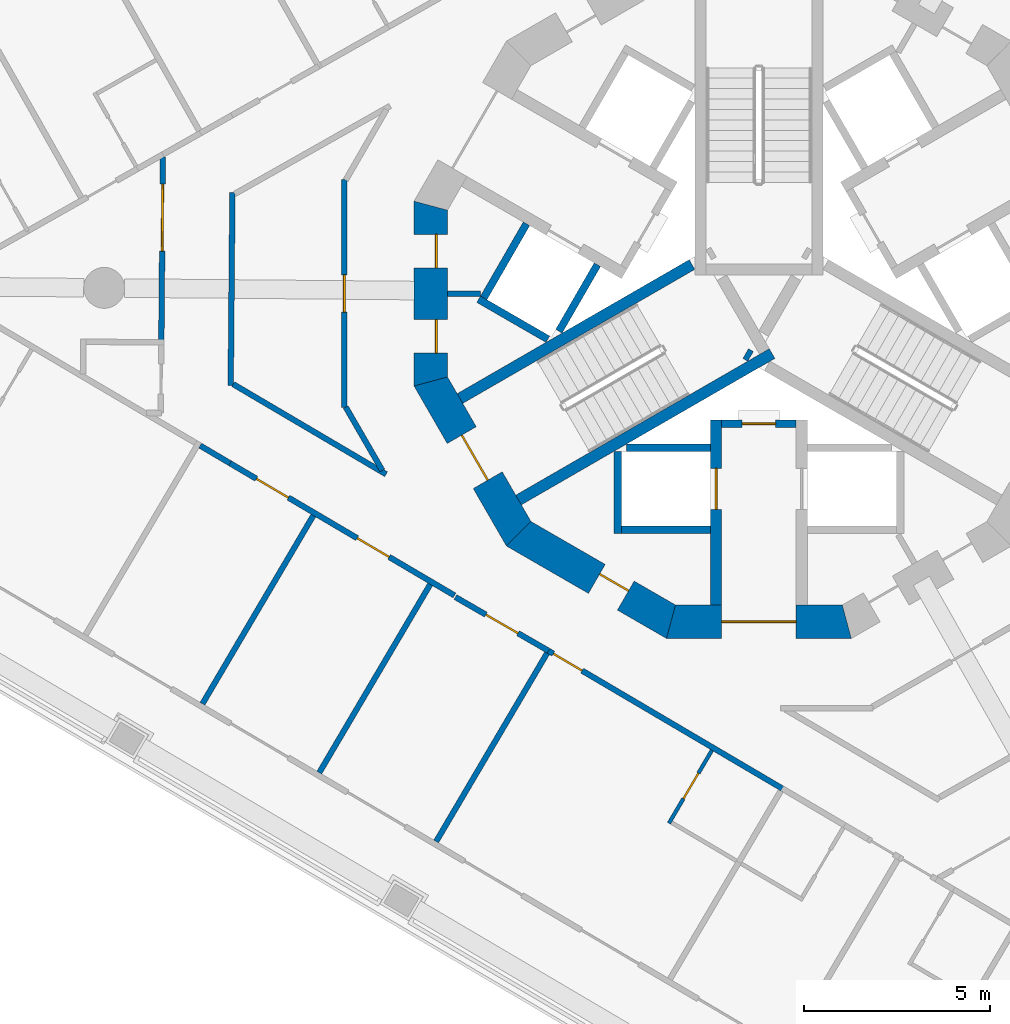
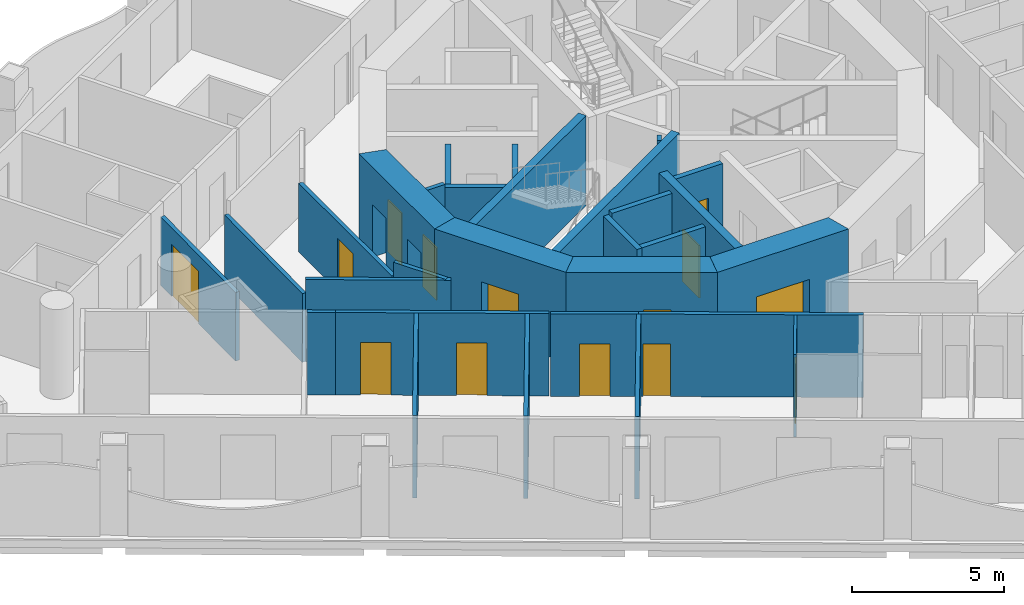
# One storey, part 3 of 17: 29 walls, 14 doors, 14 openings.
"""IFC4 building model written with IfcOpenShell, lengths in metres."""

from ifc_helpers import new_model, si_unit, direction, frame, frame_2d, origin, place, context, subcontext, project, spatial, polyline, rectangle, outline, extrude, material, layer, layer_set, type_object, element, fill, save


model = new_model("IFC4")

# Units and contexts
model_context = context("Model", 3, precision=1e-05, world=origin(), true_north=direction((0.0, 1.0)))
body_context = subcontext(model_context, "Body", "Model", "MODEL_VIEW")
ifc_project = project(units=[si_unit("LENGTHUNIT", "METRE"), si_unit("AREAUNIT", "SQUARE_METRE"), si_unit("VOLUMEUNIT", "CUBIC_METRE"), si_unit("PLANEANGLEUNIT", "RADIAN"), si_unit("MASSUNIT", "GRAM", prefix="KILO")], contexts=[model_context])

# Site, building, storey
site_placement = place(None, origin())
site = spatial("IfcSite", under=ifc_project, at=site_placement, CompositionType="ELEMENT")
building_placement = place(site_placement, origin())
building = spatial("IfcBuilding", under=site, at=building_placement, Name="Trine Commons Tower", CompositionType="ELEMENT")
storey_placement = place(building_placement, frame((0.0, 0.0, 186.300048828125)))
storey = spatial("IfcBuildingStorey", under=building, at=storey_placement, Name="L48", CompositionType="ELEMENT", Elevation=186.300048828125)

# Wall
ifc_material_1 = material(Name="Plasterboard partition on steel studs", Category="steel")
ifc_layer_1 = layer(ifc_material_1, 0.14990234375)
ifc_layer_set_1 = layer_set([ifc_layer_1], Name="Plasterboard partition on steel studs")
wall_type_1 = type_object("IfcWallType", Name="Core room partition 150 mm, EI 60", PredefinedType="PARTITIONING", material=ifc_layer_set_1)
wall_1_placement = place(storey_placement, frame((71.626953125, 62.5, 0.0), z_axis=(0.0, 0.0, 1.0), x_axis=(1.0, 0.0, 0.0)))
element("IfcWall", 1, at=wall_1_placement, inside=storey, type_object=wall_type_1, Name="Core room partition L48", PredefinedType="PARTITIONING", context=body_context, shape_type="SweptSolid", body=[
    extrude(rectangle(XDim=0.882080078125, YDim=0.14990234375, at=frame_2d((0.44091796875, 0.0))), origin(), (0.0, 0.0, 1.0), 3.300048828125),
])

# Wall, opening, door
ifc_material_2 = material(Name="Fire-rated gypsum shaft wall system")
ifc_layer_2 = layer(ifc_material_2, 0.199951171875)
ifc_layer_set_2 = layer_set([ifc_layer_2], Name="Fire-rated gypsum shaft wall system")
wall_type_2 = type_object("IfcWallType", Name="Lobby end wall 200 mm, EI 120", PredefinedType="PARTITIONING", material=ifc_layer_set_2)
wall_2_placement = place(storey_placement, frame((79.0, 59.0, 0.0), z_axis=(0.0, 0.0, 1.0), x_axis=(1.0, 0.0, 0.0)))
wall_2 = element("IfcWall", 2, at=wall_2_placement, inside=storey, type_object=wall_type_2, Name="Lobby end wall L48", PredefinedType="PARTITIONING", context=body_context, shape_type="SweptSolid", body=[
    extrude(rectangle(XDim=2.0, YDim=0.199951171875, at=frame_2d((1.0, 0.0))), origin(), (0.0, 0.0, 1.0), 3.300048828125),
])
opening_1_placement = place(wall_2_placement, frame((0.550048828125, 0.0, 0.0)))
opening_1 = element("IfcOpeningElement", 3, at=opening_1_placement, cuts=wall_2, Name="Opening K11.09", PredefinedType="OPENING", context=body_context, shape_type="SweptSolid", body=[
    extrude(rectangle(XDim=0.89990234375, YDim=2.10009765625, at=frame_2d((0.449951171875, 1.050048828125))), frame((0.0, 0.10986328125, 0.0), z_axis=(0.0, -1.0, 0.0), x_axis=(1.0, 0.0, 0.0)), (0.0, 0.0, 1.0), 0.219970703125),
])
ifc_material_3 = material(Name="Steel door leaf, fire-rated", Category="steel")
door_type_1 = type_object("IfcDoorType", Name="Riser access door, single leaf 900 x 2100, FD60", OperationType="SINGLE_SWING_LEFT", PredefinedType="DOOR", material=ifc_material_3)
door_1_placement = place(opening_1_placement, frame((0.89990234375, 0.0, 0.0), z_axis=(0.0, 0.0, 1.0), x_axis=(-1.0, 0.0, 0.0)))
door_1 = element("IfcDoor", 4, at=door_1_placement, inside=storey, type_object=door_type_1, Name="Riser door, Communications riser L48", OperationType="SINGLE_SWING_RIGHT", OverallHeight=2.10009765625, OverallWidth=0.89990234375, PredefinedType="DOOR", context=body_context, shape_type="SweptSolid", body=[
    extrude(rectangle(XDim=0.89990234375, YDim=2.10009765625, at=frame_2d((0.449951171875, 1.050048828125))), frame((0.0, 0.02490234375, 0.0), z_axis=(0.0, -1.0, 0.0), x_axis=(1.0, 0.0, 0.0)), (0.0, 0.0, 1.0), 0.050048828125),
])
fill(opening_1, door_1)

ifc_material_4 = material(Name="Concrete C60/75", Category="concrete")
ifc_layer_3 = layer(ifc_material_4, 0.300048828125)
ifc_layer_set_3 = layer_set([ifc_layer_3], Name="Concrete C60/75")
wall_type_3 = type_object("IfcWallType", Name="RC shear wall 300 mm, C60/75", PredefinedType="SHEAR", material=ifc_layer_set_3)
wall_3_placement = place(storey_placement, frame((78.85009765625, 59.10009765625, 0.0), z_axis=(0.0, 0.0, 1.0), x_axis=(0.0, -1.0, 0.0)))
wall_3 = element("IfcWall", 5, at=wall_3_placement, inside=storey, type_object=wall_type_3, Name="Core cross wall SWB-03 L48", PredefinedType="SHEAR", context=body_context, shape_type="SweptSolid", body=[
    extrude(rectangle(XDim=4.97314453125, YDim=0.300048828125, at=frame_2d((2.486572265625, 0.0))), origin(), (0.0, 0.0, 1.0), 3.599853515625),
])
opening_2_placement = place(wall_3_placement, frame((1.300048828125, 0.0, 0.0)))
opening_2 = element("IfcOpeningElement", 6, at=opening_2_placement, cuts=wall_3, Name="Opening LD10", PredefinedType="OPENING", context=body_context, shape_type="SweptSolid", body=[
    extrude(rectangle(XDim=1.10009765625, YDim=2.10009765625, at=frame_2d((0.550048828125, 1.050048828125))), frame((0.0, 0.159912109375, 0.0), z_axis=(0.0, -1.0, 0.0), x_axis=(1.0, 0.0, 0.0)), (0.0, 0.0, 1.0), 0.320068359375),
])
ifc_material_5 = material(Name="Stainless steel sliding door leaves", Category="steel")
door_type_2 = type_object("IfcDoorType", Name="Lift landing door, centre-opening sliding 1100 x 2100, FD90", OperationType="DOUBLE_DOOR_SLIDING", PredefinedType="DOOR", material=ifc_material_5)
door_2_placement = place(opening_2_placement, origin())
door_2 = element("IfcDoor", 7, at=door_2_placement, inside=storey, type_object=door_type_2, Name="Lift landing door FF2 L48", OperationType="DOUBLE_DOOR_SLIDING", OverallHeight=2.10009765625, OverallWidth=1.10009765625, PredefinedType="DOOR", context=body_context, shape_type="SweptSolid", body=[
    extrude(rectangle(XDim=1.10009765625, YDim=2.10009765625, at=frame_2d((0.550048828125, 1.050048828125))), frame((0.0, 0.02490234375, 0.0), z_axis=(0.0, -1.0, 0.0), x_axis=(1.0, 0.0, 0.0)), (0.0, 0.0, 1.0), 0.050048828125),
])
fill(opening_2, door_2)

# Walls
wall_4_placement = place(storey_placement, frame((78.199951171875, 63.280029296875, 0.0), z_axis=(0.0, 0.0, 1.0), x_axis=(-0.866028135082, -0.499995269223, 0.0)))
element("IfcWall", 8, at=wall_4_placement, inside=storey, type_object=wall_type_3, Name="Core cross wall SWB-07 L48", PredefinedType="SHEAR", context=body_context, shape_type="SweptSolid", body=[
    extrude(rectangle(XDim=7.2041015625, YDim=0.300048828125, at=frame_2d((3.60205078125, 0.0))), origin(), (0.0, 0.0, 1.0), 3.599853515625),
])
wall_5_placement = place(storey_placement, frame((79.64599609375, 60.885986328125, 0.0), z_axis=(0.0, 0.0, 1.0), x_axis=(0.867331893649, -0.497730234424, 0.0)))
element("IfcWall", 9, at=wall_5_placement, inside=storey, type_object=wall_type_3, Name="Core cross wall SWB-11 L48", PredefinedType="SHEAR", context=body_context, shape_type="SweptSolid", body=[
    extrude(rectangle(XDim=0.148681640625, YDim=0.300048828125, at=frame_2d((0.07421875, 0.0))), origin(), (0.0, 0.0, 1.0), 3.599853515625),
])
wall_6_placement = place(storey_placement, frame((80.35400390625, 60.885986328125, 0.0), z_axis=(0.0, 0.0, 1.0), x_axis=(-0.866047706748, -0.499961368145, 0.0)))
element("IfcWall", 10, at=wall_6_placement, inside=storey, type_object=wall_type_3, Name="Core cross wall SWB-14 L48", PredefinedType="SHEAR", context=body_context, shape_type="SweptSolid", body=[
    extrude(rectangle(XDim=7.87255859375, YDim=0.300048828125, at=frame_2d((3.936279296875, 0.0))), origin(), (0.0, 0.0, 1.0), 3.599853515625),
])

# Wall, openings, doors
ifc_layer_4 = layer(ifc_material_4, 0.89990234375)
ifc_layer_set_4 = layer_set([ifc_layer_4], Name="Concrete C60/75")
wall_type_4 = type_object("IfcWallType", Name="RC shear wall 900 mm, C60/75", PredefinedType="SHEAR", material=ifc_layer_set_4)
wall_7_placement = place(storey_placement, frame((71.177001953125, 64.984619140625, 0.0), z_axis=(0.0, 0.0, 1.0), x_axis=(0.0, -1.0, 0.0)))
wall_7 = element("IfcWall", 11, at=wall_7_placement, inside=storey, type_object=wall_type_4, Name="Core wall CWE-07 L48", PredefinedType="SHEAR", context=body_context, shape_type="SweptSolid", body=[
    extrude(outline(polyline([(0.0, -0.449951171875), (4.969482421875, -0.449951171875), (4.728271484375, 0.449951171875), (0.2412109375, 0.449951171875), (0.0, -0.449951171875)])), origin(), (0.0, 0.0, 1.0), 3.599853515625),
])
opening_3_placement = place(wall_7_placement, frame((0.893798828125, 0.0, 0.0)))
opening_3 = element("IfcOpeningElement", 12, at=opening_3_placement, cuts=wall_7, Name="Opening K11.14", PredefinedType="OPENING", context=body_context, shape_type="SweptSolid", body=[
    extrude(rectangle(XDim=0.89990234375, YDim=2.10009765625, at=frame_2d((0.449951171875, 1.050048828125))), frame((0.0, 0.4599609375, 0.0), z_axis=(0.0, -1.0, 0.0), x_axis=(1.0, 0.0, 0.0)), (0.0, 0.0, 1.0), 0.919921875),
])
opening_4_placement = place(wall_7_placement, frame((3.184814453125, 0.0, 0.0)))
opening_4 = element("IfcOpeningElement", 13, at=opening_4_placement, cuts=wall_7, Name="Opening K11.15", PredefinedType="OPENING", context=body_context, shape_type="SweptSolid", body=[
    extrude(rectangle(XDim=0.89990234375, YDim=2.10009765625, at=frame_2d((0.449951171875, 1.050048828125))), frame((0.0, 0.4599609375, 0.0), z_axis=(0.0, -1.0, 0.0), x_axis=(1.0, 0.0, 0.0)), (0.0, 0.0, 1.0), 0.919921875),
])
door_type_3 = type_object("IfcDoorType", Name="Core room door, single leaf 900 x 2100, FD30S", OperationType="SINGLE_SWING_LEFT", PredefinedType="DOOR", material=ifc_material_3)
door_3_placement = place(opening_3_placement, origin())
door_3 = element("IfcDoor", 14, at=door_3_placement, inside=storey, type_object=door_type_3, Name="Door to Cleaner's store L48", OperationType="SINGLE_SWING_LEFT", OverallHeight=2.10009765625, OverallWidth=0.89990234375, PredefinedType="DOOR", context=body_context, shape_type="SweptSolid", body=[
    extrude(rectangle(XDim=0.89990234375, YDim=2.10009765625, at=frame_2d((0.449951171875, 1.050048828125))), frame((0.0, 0.1748046875, 0.0), z_axis=(0.0, -1.0, 0.0), x_axis=(1.0, 0.0, 0.0)), (0.0, 0.0, 1.0), 0.050048828125),
])
fill(opening_3, door_3)
door_4_placement = place(opening_4_placement, origin())
door_4 = element("IfcDoor", 15, at=door_4_placement, inside=storey, type_object=door_type_3, Name="Door to Accessible WC L48", OperationType="SINGLE_SWING_RIGHT", OverallHeight=2.10009765625, OverallWidth=0.89990234375, PredefinedType="DOOR", context=body_context, shape_type="SweptSolid", body=[
    extrude(rectangle(XDim=0.89990234375, YDim=2.10009765625, at=frame_2d((0.449951171875, 1.050048828125))), frame((0.0, 0.1748046875, 0.0), z_axis=(0.0, -1.0, 0.0), x_axis=(1.0, 0.0, 0.0)), (0.0, 0.0, 1.0), 0.050048828125),
])
fill(opening_4, door_4)

# Wall, opening, door
wall_8_placement = place(storey_placement, frame((71.11669921875, 60.240234375, 0.0), z_axis=(0.0, 0.0, 1.0), x_axis=(0.500038571144, -0.866003133579, 0.0)))
wall_8 = element("IfcWall", 16, at=wall_8_placement, inside=storey, type_object=wall_type_4, Name="Core wall CWE-08 L48", PredefinedType="SHEAR", context=body_context, shape_type="SweptSolid", body=[
    extrude(outline(polyline([(0.0, -0.449951171875), (4.96923828125, -0.449951171875), (4.72802734375, 0.449951171875), (0.2412109375, 0.449951171875), (0.0, -0.449951171875)])), origin(), (0.0, 0.0, 1.0), 3.599853515625),
])
opening_5_placement = place(wall_8_placement, frame((1.78466796875, 0.0, 0.0)))
opening_5 = element("IfcOpeningElement", 17, at=opening_5_placement, cuts=wall_8, Name="Opening K11.02", PredefinedType="OPENING", context=body_context, shape_type="SweptSolid", body=[
    extrude(rectangle(XDim=1.39990234375, YDim=2.10009765625, at=frame_2d((0.699951171875, 1.050048828125))), frame((0.0, 0.4599609375, 0.0), z_axis=(0.0, -1.0, 0.0), x_axis=(1.0, 0.0, 0.0)), (0.0, 0.0, 1.0), 0.919921875),
])
ifc_material_6 = material(Name="Steel door leaves, fire-rated", Category="steel")
door_type_4 = type_object("IfcDoorType", Name="Stair door, double leaf 1400 x 2100, FD90", OperationType="DOUBLE_DOOR_SINGLE_SWING", PredefinedType="DOOR", material=ifc_material_6)
door_5_placement = place(opening_5_placement, origin())
door_5 = element("IfcDoor", 18, at=door_5_placement, inside=storey, type_object=door_type_4, Name="Stair door to Exit stair ST2B L48", OperationType="DOUBLE_DOOR_SINGLE_SWING", OverallHeight=2.10009765625, OverallWidth=1.39990234375, PredefinedType="DOOR", context=body_context, shape_type="SweptSolid", body=[
    extrude(rectangle(XDim=1.39990234375, YDim=2.10009765625, at=frame_2d((0.699951171875, 1.050048828125))), frame((0.0, 0.02490234375, 0.0), z_axis=(0.0, -1.0, 0.0), x_axis=(1.0, 0.0, 0.0)), (0.0, 0.0, 1.0), 0.050048828125),
])
fill(opening_5, door_5)

wall_9_placement = place(storey_placement, frame((73.436767578125, 56.1015625, 0.0), z_axis=(0.0, 0.0, 1.0), x_axis=(0.866003133579, -0.500038571144, 0.0)))
wall_9 = element("IfcWall", 19, at=wall_9_placement, inside=storey, type_object=wall_type_4, Name="Core wall CWE-09 L48", PredefinedType="SHEAR", context=body_context, shape_type="SweptSolid", body=[
    extrude(outline(polyline([(0.0, -0.449951171875), (4.96923828125, -0.449951171875), (4.72802734375, 0.449951171875), (0.2412109375, 0.449951171875), (0.0, -0.449951171875)])), origin(), (0.0, 0.0, 1.0), 3.599853515625),
])
opening_6_placement = place(wall_9_placement, frame((2.5458984375, 0.0, 0.0)))
opening_6 = element("IfcOpeningElement", 20, at=opening_6_placement, cuts=wall_9, Name="Opening K11.16", PredefinedType="OPENING", context=body_context, shape_type="SweptSolid", body=[
    extrude(rectangle(XDim=0.89990234375, YDim=2.10009765625, at=frame_2d((0.449951171875, 1.050048828125))), frame((0.0, 0.4599609375, 0.0), z_axis=(0.0, -1.0, 0.0), x_axis=(1.0, 0.0, 0.0)), (0.0, 0.0, 1.0), 0.919921875),
])
door_6_placement = place(opening_6_placement, origin())
door_6 = element("IfcDoor", 21, at=door_6_placement, inside=storey, type_object=door_type_3, Name="Door to Pantry L48", OperationType="SINGLE_SWING_RIGHT", OverallHeight=2.10009765625, OverallWidth=0.89990234375, PredefinedType="DOOR", context=body_context, shape_type="SweptSolid", body=[
    extrude(rectangle(XDim=0.89990234375, YDim=2.10009765625, at=frame_2d((0.449951171875, 1.050048828125))), frame((0.0, 0.1748046875, 0.0), z_axis=(0.0, -1.0, 0.0), x_axis=(1.0, 0.0, 0.0)), (0.0, 0.0, 1.0), 0.050048828125),
])
fill(opening_6, door_6)

wall_10_placement = place(storey_placement, frame((77.515380859375, 53.677001953125, 0.0), z_axis=(0.0, 0.0, 1.0), x_axis=(1.0, 0.0, 0.0)))
wall_10 = element("IfcWall", 22, at=wall_10_placement, inside=storey, type_object=wall_type_4, Name="Core wall CWE-10 L48", PredefinedType="SHEAR", context=body_context, shape_type="SweptSolid", body=[
    extrude(outline(polyline([(0.0, -0.449951171875), (4.969482421875, -0.449951171875), (4.728271484375, 0.449951171875), (0.2412109375, 0.449951171875), (0.0, -0.449951171875)])), origin(), (0.0, 0.0, 1.0), 3.599853515625),
])
opening_7_placement = place(wall_10_placement, frame((1.484619140625, 0.0, 0.0)))
opening_7 = element("IfcOpeningElement", 23, at=opening_7_placement, cuts=wall_10, Name="Opening K11.08", PredefinedType="OPENING", context=body_context, shape_type="SweptSolid", body=[
    extrude(rectangle(XDim=2.0, YDim=2.10009765625, at=frame_2d((1.0, 1.050048828125))), frame((0.0, 0.4599609375, 0.0), z_axis=(0.0, -1.0, 0.0), x_axis=(1.0, 0.0, 0.0)), (0.0, 0.0, 1.0), 0.919921875),
])
door_type_5 = type_object("IfcDoorType", Name="Lobby door, double leaf 2000 x 2100, FD60", OperationType="DOUBLE_DOOR_SINGLE_SWING", PredefinedType="DOOR", material=ifc_material_6)
door_7_placement = place(opening_7_placement, origin())
door_7 = element("IfcDoor", 24, at=door_7_placement, inside=storey, type_object=door_type_5, Name="Lobby door, Service and firefighting lobby L48", OperationType="DOUBLE_DOOR_SINGLE_SWING", OverallHeight=2.10009765625, OverallWidth=2.0, PredefinedType="DOOR", context=body_context, shape_type="SweptSolid", body=[
    extrude(rectangle(XDim=2.0, YDim=2.10009765625, at=frame_2d((1.0, 1.050048828125))), frame((0.0, 0.02490234375, 0.0), z_axis=(0.0, -1.0, 0.0), x_axis=(1.0, 0.0, 0.0)), (0.0, 0.0, 1.0), 0.050048828125),
])
fill(opening_7, door_7)

# Walls
ifc_layer_5 = layer(ifc_material_2, 0.199951171875)
ifc_layer_set_5 = layer_set([ifc_layer_5], Name="Fire-rated gypsum shaft wall system")
wall_type_5 = type_object("IfcWallType", Name="Shaft wall 200 mm, EI 120", PredefinedType="PARTITIONING", material=ifc_layer_set_5)
wall_11_placement = place(storey_placement, frame((73.7509765625, 64.3759765625, 0.0), z_axis=(0.0, 0.0, 1.0), x_axis=(-0.500136062276, -0.86594683394, 0.0)))
element("IfcWall", 25, at=wall_11_placement, inside=storey, type_object=wall_type_5, Name="Shaft wall L48", PredefinedType="PARTITIONING", context=body_context, shape_type="SweptSolid", body=[
    extrude(rectangle(XDim=2.299072265625, YDim=0.199951171875, at=frame_2d((1.1494140625, 0.0))), origin(), (0.0, 0.0, 1.0), 3.300048828125),
])
wall_12_placement = place(storey_placement, frame((74.324951171875, 61.27392578125, 0.0), z_axis=(0.0, 0.0, 1.0), x_axis=(-0.866102336459, 0.499866725018, 0.0)))
element("IfcWall", 26, at=wall_12_placement, inside=storey, type_object=wall_type_5, Name="Shaft wall L48", PredefinedType="PARTITIONING", context=body_context, shape_type="SweptSolid", body=[
    extrude(rectangle(XDim=2.1484375, YDim=0.199951171875, at=frame_2d((1.07421875, 0.0))), origin(), (0.0, 0.0, 1.0), 3.300048828125),
])
wall_13_placement = place(storey_placement, frame((75.656005859375, 63.27587890625, 0.0), z_axis=(0.0, 0.0, 1.0), x_axis=(-0.500271688072, -0.86586848777, 0.0)))
element("IfcWall", 27, at=wall_13_placement, inside=storey, type_object=wall_type_5, Name="Shaft wall L48", PredefinedType="PARTITIONING", context=body_context, shape_type="SweptSolid", body=[
    extrude(rectangle(XDim=2.064697265625, YDim=0.199951171875, at=frame_2d((1.0322265625, 0.0))), origin(), (0.0, 0.0, 1.0), 3.300048828125),
])
wall_14_placement = place(storey_placement, frame((76.199951171875, 58.257080078125, 0.0), z_axis=(0.0, 0.0, 1.0), x_axis=(0.0, -1.0, 0.0)))
element("IfcWall", 28, at=wall_14_placement, inside=storey, type_object=wall_type_5, Name="Shaft wall L48", PredefinedType="PARTITIONING", context=body_context, shape_type="SweptSolid", body=[
    extrude(rectangle(XDim=2.20703125, YDim=0.199951171875, at=frame_2d((1.103515625, 0.0))), origin(), (0.0, 0.0, 1.0), 3.300048828125),
])
wall_15_placement = place(storey_placement, frame((78.699951171875, 56.14990234375, 0.0), z_axis=(0.0, 0.0, 1.0), x_axis=(-1.0, 0.0, 0.0)))
element("IfcWall", 29, at=wall_15_placement, inside=storey, type_object=wall_type_5, Name="Shaft wall L48", PredefinedType="PARTITIONING", context=body_context, shape_type="SweptSolid", body=[
    extrude(rectangle(XDim=2.39990234375, YDim=0.199951171875, at=frame_2d((1.199951171875, 0.0))), origin(), (0.0, 0.0, 1.0), 3.300048828125),
])
wall_16_placement = place(storey_placement, frame((78.699951171875, 58.35009765625, 0.0), z_axis=(0.0, 0.0, 1.0), x_axis=(-1.0, 0.0, 0.0)))
element("IfcWall", 30, at=wall_16_placement, inside=storey, type_object=wall_type_5, Name="Shaft wall L48", PredefinedType="PARTITIONING", context=body_context, shape_type="SweptSolid", body=[
    extrude(rectangle(XDim=2.264892578125, YDim=0.199951171875, at=frame_2d((1.13232421875, 0.0))), origin(), (0.0, 0.0, 1.0), 3.300048828125),
])

# Wall, opening, door
ifc_material_7 = material(Name="Gypsum plasterboard on steel stud", Category="steel")
ifc_layer_6 = layer(ifc_material_7, 0.14990234375)
ifc_layer_set_6 = layer_set([ifc_layer_6], Name="Gypsum plasterboard on steel stud")
wall_type_6 = type_object("IfcWallType", Name="Unit and corridor wall 150 mm, EI 60", PredefinedType="PARTITIONING", material=ifc_layer_set_6)
wall_17_placement = place(storey_placement, frame((63.931884765625, 61.18310546875, 0.0), z_axis=(0.0, 0.0, 1.0), x_axis=(0.008717466764, 0.999962002165, 0.0)))
wall_17 = element("IfcWall", 31, at=wall_17_placement, inside=storey, type_object=wall_type_6, Name="Partition 021", PredefinedType="PARTITIONING", context=body_context, shape_type="SweptSolid", body=[
    extrude(rectangle(XDim=4.985107421875, YDim=0.14990234375, at=frame_2d((2.49267578125, 0.0))), origin(), (0.0, 0.0, 1.0), 2.75),
])
opening_8_placement = place(wall_17_placement, frame((2.458984375, 0.0, 0.0)))
opening_8 = element("IfcOpeningElement", 32, at=opening_8_placement, cuts=wall_17, Name="Opening D-5C03", PredefinedType="OPENING", context=body_context, shape_type="SweptSolid", body=[
    extrude(rectangle(XDim=1.800048828125, YDim=2.10009765625, at=frame_2d((0.89990234375, 1.050048828125))), frame((0.0, 0.0849609375, 0.0), z_axis=(0.0, -1.0, 0.0), x_axis=(1.0, 0.0, 0.0)), (0.0, 0.0, 1.0), 0.169921875),
])
ifc_material_8 = material(Name="Timber fire door set", Category="wood")
door_type_6 = type_object("IfcDoorType", Name="Cluster entrance door 1800 x 2100, double leaf, FD30S", OperationType="DOUBLE_DOOR_DOUBLE_SWING", PredefinedType="DOOR", material=ifc_material_8)
door_8_placement = place(opening_8_placement, origin())
door_8 = element("IfcDoor", 33, at=door_8_placement, inside=storey, type_object=door_type_6, Name="Door D-5C03", OperationType="DOUBLE_DOOR_DOUBLE_SWING", OverallHeight=2.10009765625, OverallWidth=1.800048828125, PredefinedType="DOOR", context=body_context, shape_type="SweptSolid", body=[
    extrude(rectangle(XDim=1.800048828125, YDim=2.10009765625, at=frame_2d((0.89990234375, 1.050048828125))), frame((0.0, 0.02490234375, 0.0), z_axis=(0.0, -1.0, 0.0), x_axis=(1.0, 0.0, 0.0)), (0.0, 0.0, 1.0), 0.050048828125),
])
fill(opening_8, door_8)

# Walls
wall_18_placement = place(storey_placement, frame((64.9755859375, 58.411865234375, 0.0), z_axis=(0.0, 0.0, 1.0), x_axis=(0.861348284073, -0.508014894982, 0.0)))
element("IfcWall", 34, at=wall_18_placement, inside=storey, type_object=wall_type_6, Name="Partition 023", PredefinedType="PARTITIONING", context=body_context, shape_type="SweptSolid", body=[
    extrude(rectangle(XDim=0.932861328125, YDim=0.14990234375, at=frame_2d((0.46630859375, 0.0))), origin(), (0.0, 0.0, 1.0), 3.300048828125),
])
wall_19_placement = place(storey_placement, frame((65.037353515625, 51.470458984375, 0.0), z_axis=(0.0, 0.0, 1.0), x_axis=(0.507499507785, 0.861652046709, 0.0)))
element("IfcWall", 35, at=wall_19_placement, inside=storey, type_object=wall_type_6, Name="Partition 025", PredefinedType="PARTITIONING", context=body_context, shape_type="SweptSolid", body=[
    extrude(rectangle(XDim=5.874755859375, YDim=0.14990234375, at=frame_2d((2.9375, 0.0))), origin(), (0.0, 0.0, 1.0), 3.300048828125),
])

# Wall, openings, doors
wall_20_placement = place(storey_placement, frame((65.779052734375, 57.93798828125, 0.0), z_axis=(0.0, 0.0, 1.0), x_axis=(0.861623120435, -0.507548616718, 0.0)))
wall_20 = element("IfcWall", 36, at=wall_20_placement, inside=storey, type_object=wall_type_6, Name="Partition 027", PredefinedType="PARTITIONING", context=body_context, shape_type="SweptSolid", body=[
    extrude(rectangle(XDim=7.004150390625, YDim=0.14990234375, at=frame_2d((3.501953125, 0.0))), origin(), (0.0, 0.0, 1.0), 3.300048828125),
])
opening_9_placement = place(wall_20_placement, frame((3.967041015625, 0.0, 0.0)))
opening_9 = element("IfcOpeningElement", 37, at=opening_9_placement, cuts=wall_20, Name="Opening D-5C25", PredefinedType="OPENING", context=body_context, shape_type="SweptSolid", body=[
    extrude(rectangle(XDim=1.0, YDim=2.10009765625, at=frame_2d((0.5, 1.050048828125))), frame((0.0, 0.0849609375, 0.0), z_axis=(0.0, -1.0, 0.0), x_axis=(1.0, 0.0, 0.0)), (0.0, 0.0, 1.0), 0.169921875),
])
opening_10_placement = place(wall_20_placement, frame((0.82177734375, 0.0, 0.0)))
opening_10 = element("IfcOpeningElement", 38, at=opening_10_placement, cuts=wall_20, Name="Opening D-5C26", PredefinedType="OPENING", context=body_context, shape_type="SweptSolid", body=[
    extrude(rectangle(XDim=1.0, YDim=2.10009765625, at=frame_2d((0.5, 1.050048828125))), frame((0.0, 0.0849609375, 0.0), z_axis=(0.0, -1.0, 0.0), x_axis=(1.0, 0.0, 0.0)), (0.0, 0.0, 1.0), 0.169921875),
])
ifc_material_9 = material(Name="Painted timber", Category="wood")
door_type_7 = type_object("IfcDoorType", Name="Amenity room door 1000 x 2100, NOT RATED", OperationType="NOTDEFINED", PredefinedType="DOOR", material=ifc_material_9)
door_9_placement = place(opening_9_placement, frame((1.0, 0.0, 0.0), z_axis=(0.0, 0.0, 1.0), x_axis=(-1.0, 0.0, 0.0)))
door_9 = element("IfcDoor", 39, at=door_9_placement, inside=storey, type_object=door_type_7, Name="Door D-5C25", OperationType="SINGLE_SWING_LEFT", OverallHeight=2.10009765625, OverallWidth=1.0, PredefinedType="DOOR", context=body_context, shape_type="SweptSolid", body=[
    extrude(rectangle(XDim=1.0, YDim=2.10009765625, at=frame_2d((0.5, 1.050048828125))), frame((0.0, 0.02490234375, 0.0), z_axis=(0.0, -1.0, 0.0), x_axis=(1.0, 0.0, 0.0)), (0.0, 0.0, 1.0), 0.050048828125),
])
fill(opening_9, door_9)
door_10_placement = place(opening_10_placement, frame((1.0, 0.0, 0.0), z_axis=(0.0, 0.0, 1.0), x_axis=(-1.0, 0.0, 0.0)))
door_10 = element("IfcDoor", 40, at=door_10_placement, inside=storey, type_object=door_type_7, Name="Door D-5C26", OperationType="SINGLE_SWING_RIGHT", OverallHeight=2.10009765625, OverallWidth=1.0, PredefinedType="DOOR", context=body_context, shape_type="SweptSolid", body=[
    extrude(rectangle(XDim=1.0, YDim=2.10009765625, at=frame_2d((0.5, 1.050048828125))), frame((0.0, 0.02490234375, 0.0), z_axis=(0.0, -1.0, 0.0), x_axis=(1.0, 0.0, 0.0)), (0.0, 0.0, 1.0), 0.050048828125),
])
fill(opening_10, door_10)

# Walls
wall_21_placement = place(storey_placement, frame((65.79736328125, 60.028076171875, 0.0), z_axis=(0.0, 0.0, 1.0), x_axis=(0.008747666417, 0.999961738434, 0.0)))
element("IfcWall", 41, at=wall_21_placement, inside=storey, type_object=wall_type_6, Name="Partition 028", PredefinedType="PARTITIONING", context=body_context, shape_type="SweptSolid", body=[
    extrude(rectangle(XDim=5.191162109375, YDim=0.14990234375, at=frame_2d((2.595703125, 0.0))), origin(), (0.0, 0.0, 1.0), 2.75),
])
wall_22_placement = place(storey_placement, frame((65.862548828125, 60.06494140625, 0.0), z_axis=(0.0, 0.0, 1.0), x_axis=(0.861635540959, -0.507527530835, 0.0)))
element("IfcWall", 42, at=wall_22_placement, inside=storey, type_object=wall_type_6, Name="Partition 029", PredefinedType="PARTITIONING", context=body_context, shape_type="SweptSolid", body=[
    extrude(rectangle(XDim=4.7724609375, YDim=0.14990234375, at=frame_2d((2.38623046875, 0.0))), origin(), (0.0, 0.0, 1.0), 3.300048828125),
])
wall_23_placement = place(storey_placement, frame((68.17919921875, 49.619384765625, 0.0), z_axis=(0.0, 0.0, 1.0), x_axis=(0.507603061138, 0.861591047031, 0.0)))
element("IfcWall", 43, at=wall_23_placement, inside=storey, type_object=wall_type_6, Name="Partition 033", PredefinedType="PARTITIONING", context=body_context, shape_type="SweptSolid", body=[
    extrude(rectangle(XDim=5.8740234375, YDim=0.14990234375, at=frame_2d((2.93701171875, 0.0))), origin(), (0.0, 0.0, 1.0), 3.300048828125),
])

# Wall, opening, door
wall_24_placement = place(storey_placement, frame((68.85205078125, 59.43798828125, 0.0), z_axis=(0.0, 0.0, 1.0), x_axis=(0.0, 1.0, 0.0)))
wall_24 = element("IfcWall", 44, at=wall_24_placement, inside=storey, type_object=wall_type_6, Name="Partition 035", PredefinedType="PARTITIONING", context=body_context, shape_type="SweptSolid", body=[
    extrude(rectangle(XDim=6.1240234375, YDim=0.14990234375, at=frame_2d((3.06201171875, 0.0))), origin(), (0.0, 0.0, 1.0), 2.75),
])
opening_11_placement = place(wall_24_placement, frame((2.56201171875, 0.0, 0.0)))
opening_11 = element("IfcOpeningElement", 45, at=opening_11_placement, cuts=wall_24, Name="Opening D-5C28", PredefinedType="OPENING", context=body_context, shape_type="SweptSolid", body=[
    extrude(rectangle(XDim=1.0, YDim=2.10009765625, at=frame_2d((0.5, 1.050048828125))), frame((0.0, 0.0849609375, 0.0), z_axis=(0.0, -1.0, 0.0), x_axis=(1.0, 0.0, 0.0)), (0.0, 0.0, 1.0), 0.169921875),
])
door_11_placement = place(opening_11_placement, origin())
door_11 = element("IfcDoor", 46, at=door_11_placement, inside=storey, type_object=door_type_7, Name="Door D-5C28", OperationType="SINGLE_SWING_RIGHT", OverallHeight=2.10009765625, OverallWidth=1.0, PredefinedType="DOOR", context=body_context, shape_type="SweptSolid", body=[
    extrude(rectangle(XDim=1.0, YDim=2.10009765625, at=frame_2d((0.5, 1.050048828125))), frame((0.0, 0.02490234375, 0.0), z_axis=(0.0, -1.0, 0.0), x_axis=(1.0, 0.0, 0.0)), (0.0, 0.0, 1.0), 0.050048828125),
])
fill(opening_11, door_11)

# Walls
wall_25_placement = place(storey_placement, frame((68.889404296875, 59.447998046875, 0.0), z_axis=(0.0, 0.0, 1.0), x_axis=(0.500259007655, -0.865875813994, 0.0)))
element("IfcWall", 47, at=wall_25_placement, inside=storey, type_object=wall_type_6, Name="Partition 036", PredefinedType="PARTITIONING", context=body_context, shape_type="SweptSolid", body=[
    extrude(rectangle(XDim=1.96923828125, YDim=0.14990234375, at=frame_2d((0.984619140625, 0.0))), origin(), (0.0, 0.0, 1.0), 3.300048828125),
])
wall_26_placement = place(storey_placement, frame((71.322265625, 47.7685546875, 0.0), z_axis=(0.0, 0.0, 1.0), x_axis=(0.507621238888, 0.86158033742, 0.0)))
element("IfcWall", 48, at=wall_26_placement, inside=storey, type_object=wall_type_6, Name="Partition 040", PredefinedType="PARTITIONING", context=body_context, shape_type="SweptSolid", body=[
    extrude(rectangle(XDim=5.873779296875, YDim=0.14990234375, at=frame_2d((2.93701171875, 0.0))), origin(), (0.0, 0.0, 1.0), 3.300048828125),
])

# Wall, opening, door
wall_27_placement = place(storey_placement, frame((71.839111328125, 54.339111328125, 0.0), z_axis=(0.0, 0.0, 1.0), x_axis=(0.866109656245, -0.499854042055, 0.0)))
wall_27 = element("IfcWall", 49, at=wall_27_placement, inside=storey, type_object=wall_type_6, Name="Partition 042", PredefinedType="PARTITIONING", context=body_context, shape_type="SweptSolid", body=[
    extrude(rectangle(XDim=2.890869140625, YDim=0.14990234375, at=frame_2d((1.4453125, 0.0))), origin(), (0.0, 0.0, 1.0), 3.300048828125),
])
opening_12_placement = place(wall_27_placement, frame((0.94482421875, 0.0, 0.0)))
opening_12 = element("IfcOpeningElement", 50, at=opening_12_placement, cuts=wall_27, Name="Opening D-5C24", PredefinedType="OPENING", context=body_context, shape_type="SweptSolid", body=[
    extrude(rectangle(XDim=1.0, YDim=2.10009765625, at=frame_2d((0.5, 1.050048828125))), frame((0.0, 0.0849609375, 0.0), z_axis=(0.0, -1.0, 0.0), x_axis=(1.0, 0.0, 0.0)), (0.0, 0.0, 1.0), 0.169921875),
])
door_12_placement = place(opening_12_placement, frame((1.0, 0.0, 0.0), z_axis=(0.0, 0.0, 1.0), x_axis=(-1.0, 0.0, 0.0)))
door_12 = element("IfcDoor", 51, at=door_12_placement, inside=storey, type_object=door_type_7, Name="Door D-5C24", OperationType="SINGLE_SWING_RIGHT", OverallHeight=2.10009765625, OverallWidth=1.0, PredefinedType="DOOR", context=body_context, shape_type="SweptSolid", body=[
    extrude(rectangle(XDim=1.0, YDim=2.10009765625, at=frame_2d((0.5, 1.050048828125))), frame((0.0, 0.02490234375, 0.0), z_axis=(0.0, -1.0, 0.0), x_axis=(1.0, 0.0, 0.0)), (0.0, 0.0, 1.0), 0.050048828125),
])
fill(opening_12, door_12)

wall_28_placement = place(storey_placement, frame((74.343017578125, 52.89306640625, 0.0), z_axis=(0.0, 0.0, 1.0), x_axis=(0.861637780131, -0.507523729348, 0.0)))
wall_28 = element("IfcWall", 52, at=wall_28_placement, inside=storey, type_object=wall_type_6, Name="Partition 043", PredefinedType="PARTITIONING", context=body_context, shape_type="SweptSolid", body=[
    extrude(rectangle(XDim=7.37158203125, YDim=0.14990234375, at=frame_2d((3.685791015625, 0.0))), origin(), (0.0, 0.0, 1.0), 3.300048828125),
])
opening_13_placement = place(wall_28_placement, frame((0.14990234375, 0.0, 0.0)))
opening_13 = element("IfcOpeningElement", 53, at=opening_13_placement, cuts=wall_28, Name="Opening D-5C23", PredefinedType="OPENING", context=body_context, shape_type="SweptSolid", body=[
    extrude(rectangle(XDim=0.89990234375, YDim=2.10009765625, at=frame_2d((0.449951171875, 1.050048828125))), frame((0.0, 0.0849609375, 0.0), z_axis=(0.0, -1.0, 0.0), x_axis=(1.0, 0.0, 0.0)), (0.0, 0.0, 1.0), 0.169921875),
])
door_type_8 = type_object("IfcDoorType", Name="Bedroom door 900 x 2100, FD30S", OperationType="NOTDEFINED", PredefinedType="DOOR", material=ifc_material_8)
door_13_placement = place(opening_13_placement, frame((0.89990234375, 0.0, 0.0), z_axis=(0.0, 0.0, 1.0), x_axis=(-1.0, 0.0, 0.0)))
door_13 = element("IfcDoor", 54, at=door_13_placement, inside=storey, type_object=door_type_8, Name="Door D-5C23", OperationType="SINGLE_SWING_RIGHT", OverallHeight=2.10009765625, OverallWidth=0.89990234375, PredefinedType="DOOR", context=body_context, shape_type="SweptSolid", body=[
    extrude(rectangle(XDim=0.89990234375, YDim=2.10009765625, at=frame_2d((0.449951171875, 1.050048828125))), frame((0.0, 0.02490234375, 0.0), z_axis=(0.0, -1.0, 0.0), x_axis=(1.0, 0.0, 0.0)), (0.0, 0.0, 1.0), 0.050048828125),
])
fill(opening_13, door_13)

ifc_layer_7 = layer(ifc_material_7, 0.10009765625)
ifc_layer_set_7 = layer_set([ifc_layer_7], Name="Gypsum plasterboard on steel stud")
wall_type_7 = type_object("IfcWallType", Name="Unit partition 100 mm, no rating", PredefinedType="PARTITIONING", material=ifc_layer_set_7)
wall_29_placement = place(storey_placement, frame((77.58154296875, 48.2587890625, 0.0), z_axis=(0.0, 0.0, 1.0), x_axis=(0.507517296511, 0.861641569182, 0.0)))
wall_29 = element("IfcWall", 55, at=wall_29_placement, inside=storey, type_object=wall_type_7, Name="Partition 047", PredefinedType="PARTITIONING", context=body_context, shape_type="SweptSolid", body=[
    extrude(rectangle(XDim=2.2744140625, YDim=0.10009765625, at=frame_2d((1.13720703125, 0.0))), origin(), (0.0, 0.0, 1.0), 3.300048828125),
])
opening_14_placement = place(wall_29_placement, frame((0.76220703125, 0.0, 0.0)))
opening_14 = element("IfcOpeningElement", 56, at=opening_14_placement, cuts=wall_29, Name="Opening D-5C49", PredefinedType="OPENING", context=body_context, shape_type="SweptSolid", body=[
    extrude(rectangle(XDim=0.800048828125, YDim=2.10009765625, at=frame_2d((0.39990234375, 1.050048828125))), frame((0.0, 0.06005859375, 0.0), z_axis=(0.0, -1.0, 0.0), x_axis=(1.0, 0.0, 0.0)), (0.0, 0.0, 1.0), 0.1201171875),
])
door_type_9 = type_object("IfcDoorType", Name="Internal door 800 x 2100, NOT RATED", OperationType="NOTDEFINED", PredefinedType="DOOR", material=ifc_material_9)
door_14_placement = place(opening_14_placement, origin())
door_14 = element("IfcDoor", 57, at=door_14_placement, inside=storey, type_object=door_type_9, Name="Door D-5C49", OperationType="SINGLE_SWING_RIGHT", OverallHeight=2.10009765625, OverallWidth=0.800048828125, PredefinedType="DOOR", context=body_context, shape_type="SweptSolid", body=[
    extrude(rectangle(XDim=0.800048828125, YDim=2.10009765625, at=frame_2d((0.39990234375, 1.050048828125))), frame((0.0, 0.02490234375, 0.0), z_axis=(0.0, -1.0, 0.0), x_axis=(1.0, 0.0, 0.0)), (0.0, 0.0, 1.0), 0.050048828125),
])
fill(opening_14, door_14)

save(model, "model.ifc")
